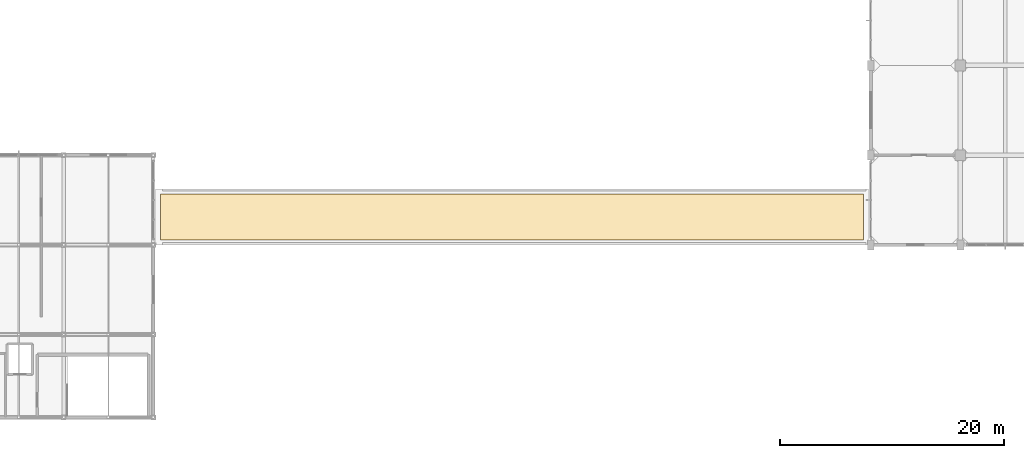
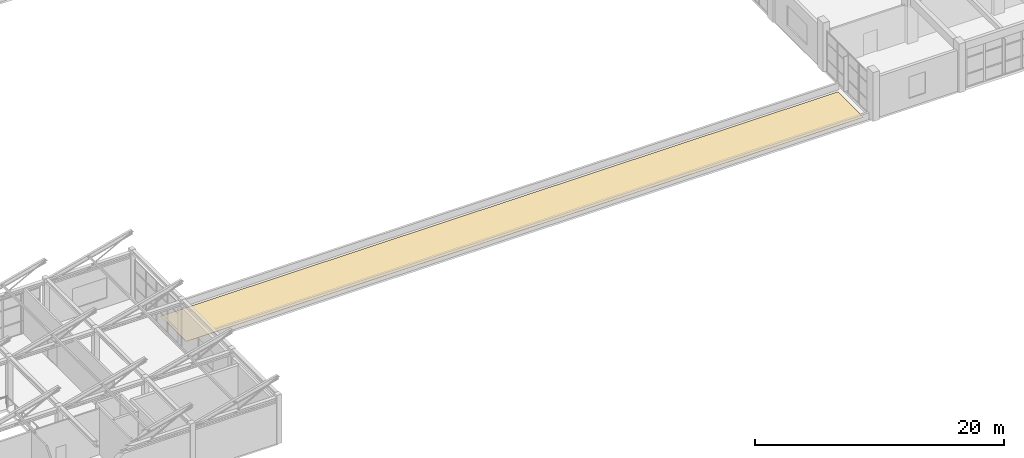
# One storey, part 56 of 63: 1 covering, 1 element without a shape of its own.
"""IFC4 building model written with IfcOpenShell, lengths in metres."""

from ifc_helpers import new_model, si_unit, direction, frame, origin, place, context, subcontext, project, spatial, polyline, outline, extrude, material, layer, layer_set, type_object, element, aggregate, save


model = new_model("IFC4")

# Units and contexts
model_context = context("Model", 3, precision=1e-05, world=origin(), true_north=direction((0.0, 1.0)))
body_context = subcontext(model_context, "Body", "Model", "MODEL_VIEW")
ifc_project = project(units=[si_unit("LENGTHUNIT", "METRE"), si_unit("AREAUNIT", "SQUARE_METRE"), si_unit("VOLUMEUNIT", "CUBIC_METRE"), si_unit("PLANEANGLEUNIT", "RADIAN"), si_unit("MASSUNIT", "GRAM", prefix="KILO")], contexts=[model_context])

# Site, building, storey
site_placement = place(None, origin())
site = spatial("IfcSite", under=ifc_project, at=site_placement, CompositionType="ELEMENT")
building_placement = place(site_placement, origin())
building = spatial("IfcBuilding", under=site, at=building_placement, Name="Canggui Botanical Conservatory", CompositionType="ELEMENT")
storey_placement = place(building_placement, frame((0.0, 0.0, 10.199951171875)))
storey = spatial("IfcBuildingStorey", under=building, at=storey_placement, Name="L03", CompositionType="ELEMENT", Elevation=10.199951171875)

# Roof, covering
ifc_material_1 = material(Name="Concrete C35", Category="concrete")
ifc_layer_1 = layer(ifc_material_1, 0.239990234375, Name="Concrete C35", Category="concrete")
ifc_layer_set_1 = layer_set([ifc_layer_1], Name="Concrete C35")
roof_type = type_object("IfcRoofType", Name="ROOF-FLAT", PredefinedType="FLAT_ROOF", material=ifc_layer_set_1)
roof_placement = place(storey_placement, origin())
roof = element("IfcRoof", 1, at=roof_placement, inside=storey, type_object=roof_type, Name="South Court Covered Skybridge SB-01 Flat Roof", PredefinedType="FLAT_ROOF")
ifc_material_2 = material(Name="TPO Waterproofing Membrane")
ifc_layer_2 = layer(ifc_material_2, 0.02490234375, Name="TPO Waterproofing Membrane")
ifc_layer_set_2 = layer_set([ifc_layer_2], Name="TPO Waterproofing Membrane")
covering_type = type_object("IfcCoveringType", Name="COV-ROOF-25", PredefinedType="ROOFING", material=ifc_layer_set_2)
covering_placement = place(storey_placement, origin())
covering = element("IfcCovering", 2, at=covering_placement, type_object=covering_type, Name="SB-01 Roof TPO Waterproofing Membrane", PredefinedType="ROOFING", context=body_context, shape_type="SweptSolid", body=[
    extrude(outline(polyline([(66.64990234375, 26.449951171875), (66.64990234375, 30.550048828125), (129.35009765625, 30.550048828125), (129.35009765625, 26.449951171875), (66.64990234375, 26.449951171875)])), origin(), (0.0, 0.0, 1.0), 0.025146484375),
])
aggregate(roof, [covering])

save(model, "model.ifc")
